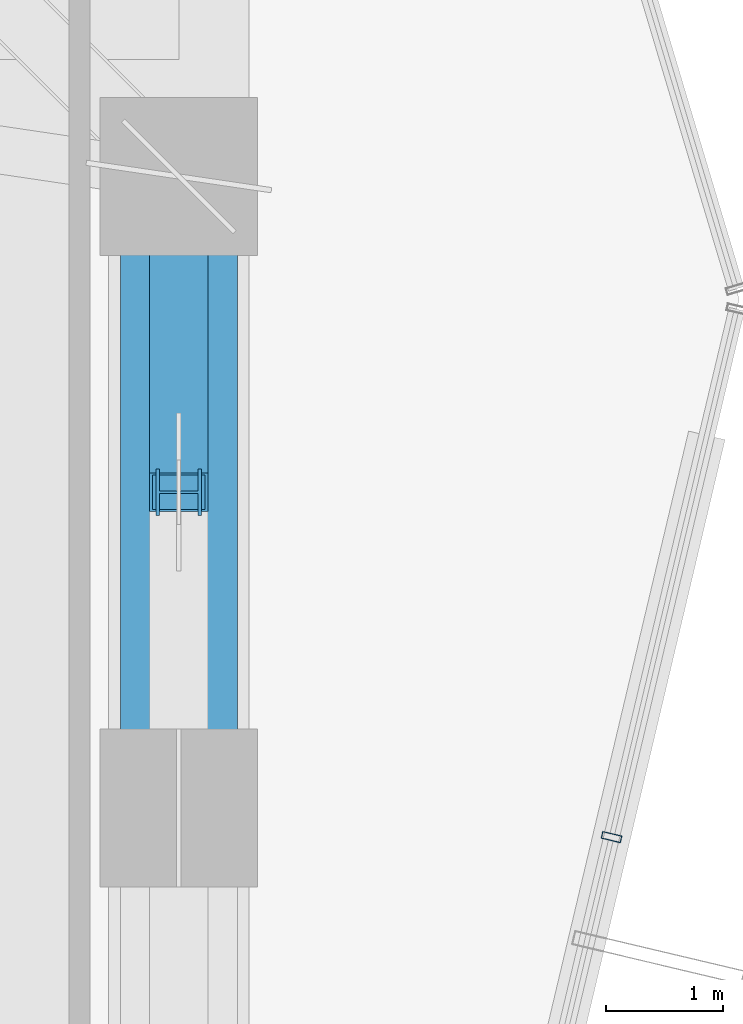
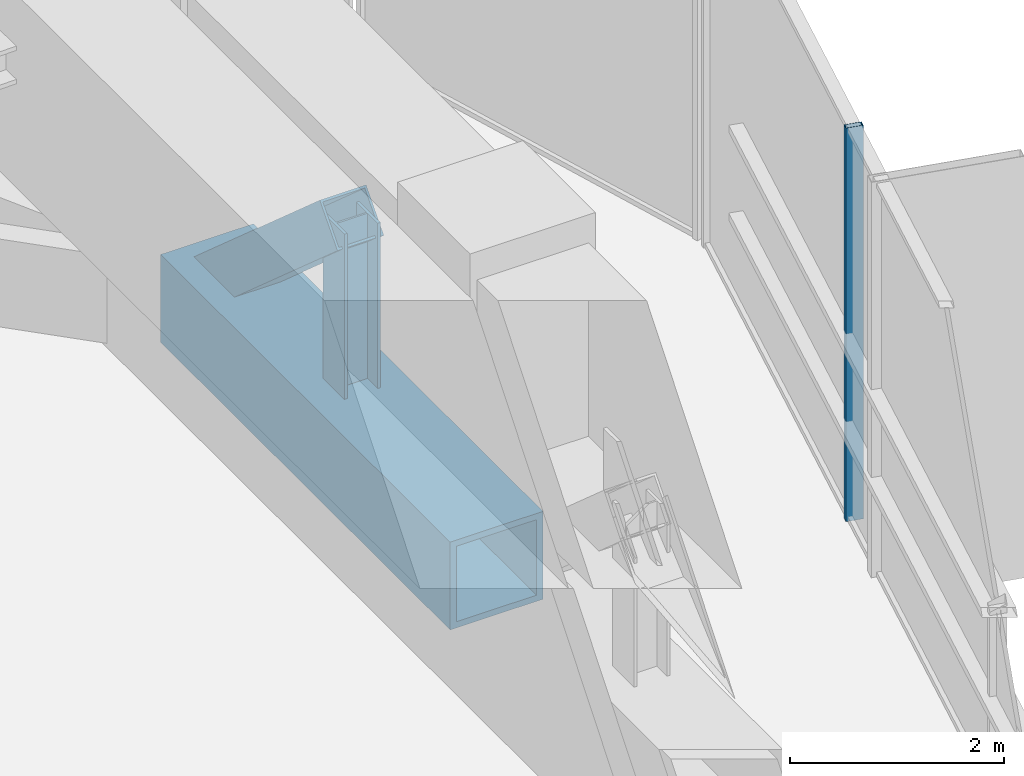
# One storey, part 20 of 41: 4 members, 1 element without a shape of its own.
"""IFC4 building model written with IfcOpenShell, lengths in metres."""

from ifc_helpers import new_model, si_unit, direction, frame, origin, origin_2d, place, context, subcontext, project, spatial, hollow_rectangle, i_section, extrude, source, transform, mapped, material, layer, layer_set, material_profile, profile_set, type_object, element, aggregate, save


model = new_model("IFC4")

# Units and contexts
model_context = context("Model", 3, precision=1e-05, world=origin(), true_north=direction((0.0, 1.0)))
body_context = subcontext(model_context, "Body", "Model", "MODEL_VIEW")
ifc_project = project(units=[si_unit("LENGTHUNIT", "METRE"), si_unit("AREAUNIT", "SQUARE_METRE"), si_unit("VOLUMEUNIT", "CUBIC_METRE"), si_unit("PLANEANGLEUNIT", "RADIAN"), si_unit("MASSUNIT", "GRAM", prefix="KILO")], contexts=[model_context])

# Site, building, storey
site_placement = place(None, origin())
site = spatial("IfcSite", under=ifc_project, at=site_placement, CompositionType="ELEMENT")
building_placement = place(site_placement, origin())
building = spatial("IfcBuilding", under=site, at=building_placement, Name="Veraguas Prism Commons", CompositionType="ELEMENT")
storey_placement = place(building_placement, frame((0.0, 0.0, 80.35009765625)))
storey = spatial("IfcBuildingStorey", under=building, at=storey_placement, Name="L22", CompositionType="ELEMENT", Elevation=80.35009765625)

# Members
ifc_material_1 = material(Name="Steel ASTM A913 Grade 65", Category="steel")
ifc_material_profile_1 = material_profile(ifc_material_1, hollow_rectangle(XDim=1.0, YDim=1.0, WallThickness=0.070068359375, at=origin_2d()), Name="BOX1000X1000X70")
ifc_profile_set_1 = profile_set([ifc_material_profile_1], Name="Steel ASTM A913 Grade 65")
member_type_1 = type_object("IfcMemberType", Name="Belt Truss Chord L22 Box 1000x1000x70", PredefinedType="CHORD", material=ifc_profile_set_1)
member_1_placement = place(storey_placement, frame((41.60009765625, 24.0, 0.5498046875), z_axis=(0.0, 1.0, 0.0), x_axis=(-1.0, 0.0, 0.0)))
element("IfcMember", 1, at=member_1_placement, inside=storey, type_object=member_type_1, Name="Perimeter Belt Truss Chord Bottom L22-02", PredefinedType="CHORD", context=body_context, shape_type="SweptSolid", body=[
    extrude(hollow_rectangle(XDim=1.0, YDim=1.0, WallThickness=0.070068359375, at=origin_2d()), origin(), (0.0, 0.0, 1.0), 5.39990234375),
])
ifc_material_2 = material(Name="Steel ASTM A992 Grade 50", Category="steel")
ifc_material_profile_2 = material_profile(ifc_material_2, i_section(OverallWidth=0.39794921875, OverallDepth=0.386962890625, WebThickness=0.01904296875, FlangeThickness=0.0302734375, at=origin_2d()), Name="W360X262")
ifc_profile_set_2 = profile_set([ifc_material_profile_2], Name="Steel ASTM A992 Grade 50")
member_type_2 = type_object("IfcMemberType", Name="Belt Truss Vertical Strut W360x262", PredefinedType="STRUT", material=ifc_profile_set_2)
member_2_placement = place(storey_placement, frame((41.60009765625, 26.699951171875, 0.5498046875), z_axis=(0.0, 0.0, 1.0), x_axis=(0.0, 1.0, 0.0)))
element("IfcMember", 2, at=member_2_placement, inside=storey, type_object=member_type_2, Name="Perimeter Belt Truss Strut L22-02", PredefinedType="STRUT", context=body_context, shape_type="SweptSolid", body=[
    extrude(i_section(OverallWidth=0.39794921875, OverallDepth=0.386962890625, WebThickness=0.01904296875, FlangeThickness=0.0302734375, at=origin_2d()), origin(), (0.0, 0.0, 1.0), 2.380126953125),
])
ifc_material_3 = material(Name="Steel ASTM A572 Grade 50", Category="steel")
ifc_material_profile_3 = material_profile(ifc_material_3, hollow_rectangle(XDim=0.5, YDim=0.5, WallThickness=0.02490234375, at=origin_2d()), Name="BOX500X500X25")
ifc_profile_set_3 = profile_set([ifc_material_profile_3], Name="Steel ASTM A572 Grade 50")
member_type_3 = type_object("IfcMemberType", Name="Perimeter Belt Diagonal BOX 500x500x25", PredefinedType="BRACE", material=ifc_profile_set_3)
member_3_placement = place(storey_placement, frame((41.60009765625, 29.39990234375, 0.5498046875), z_axis=(0.0, -0.750138660667, 0.66128056812), x_axis=(1.0, 0.0, 0.0)))
element("IfcMember", 3, at=member_3_placement, inside=storey, type_object=member_type_3, Name="Perimeter Belt Truss Brace L22-02B", PredefinedType="BRACE", context=body_context, shape_type="SweptSolid", body=[
    extrude(hollow_rectangle(XDim=0.5, YDim=0.5, WallThickness=0.02490234375, at=origin_2d()), origin(), (0.0, 0.0, 1.0), 3.599365234375),
])

# Curtain wall, member
ifc_material_4 = material(Name="Anodised aluminium EN AW-6063 T6", Category="aluminium")
ifc_layer = layer(ifc_material_4, 0.169921875, Name="Unitised Flush Curtain Wall Zone 1", Category="aluminium")
ifc_layer_set = layer_set([ifc_layer], Name="Anodised aluminium EN AW-6063 T6")
curtain_wall_type = type_object("IfcCurtainWallType", Name="Unitised Flush Curtain Wall Zone 1", PredefinedType="NOTDEFINED", material=ifc_layer_set)
curtain_wall_placement = place(storey_placement, origin())
curtain_wall = element("IfcCurtainWall", 4, at=curtain_wall_placement, inside=storey, type_object=curtain_wall_type, Name="Tower Facade Curtain Wall L22-F6", PredefinedType="NOTDEFINED")
ifc_material_profile_4 = material_profile(ifc_material_4, hollow_rectangle(XDim=0.06005859375, YDim=0.169921875, WallThickness=0.00390625, at=origin_2d()), Name="AL60X170X4")
ifc_profile_set_4 = profile_set([ifc_material_profile_4], Name="Anodised aluminium EN AW-6063 T6")
member_type_4 = type_object("IfcMemberType", Name="Curtain Wall Mullion Lower AL 60x170x4", PredefinedType="MULLION", material=ifc_profile_set_4)
shared_shape = source(origin(), body_context, "Body", "SweptSolid", [
    extrude(hollow_rectangle(XDim=0.06005859375, YDim=0.169921875, WallThickness=0.00390625, at=origin_2d()), origin(), (0.0, 0.0, 1.0), 4.47998046875),
])
member_4_placement = place(storey_placement, frame((45.301513671875, 23.749267578125, 0.0), z_axis=(0.0, 0.0, 1.0), x_axis=(0.2307341828, 0.97301682251, 0.0)))
member_4 = element("IfcMember", 5, at=member_4_placement, type_object=member_type_4, Name="CW-Z1 Mullion 4", PredefinedType="MULLION", context=body_context, shape_type="MappedRepresentation", body=[
    mapped(shared_shape, transform((0.0, 0.0, 0.0), scale=1.0)),
])
aggregate(curtain_wall, [member_4])

save(model, "model.ifc")
